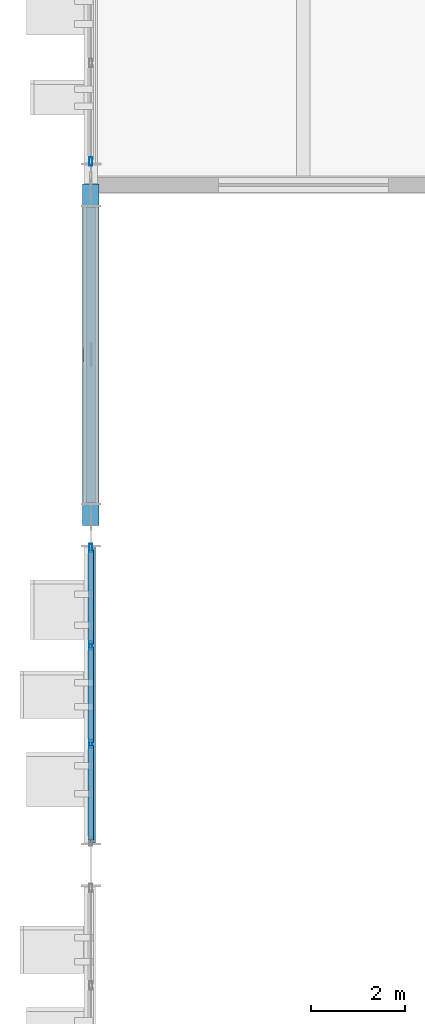
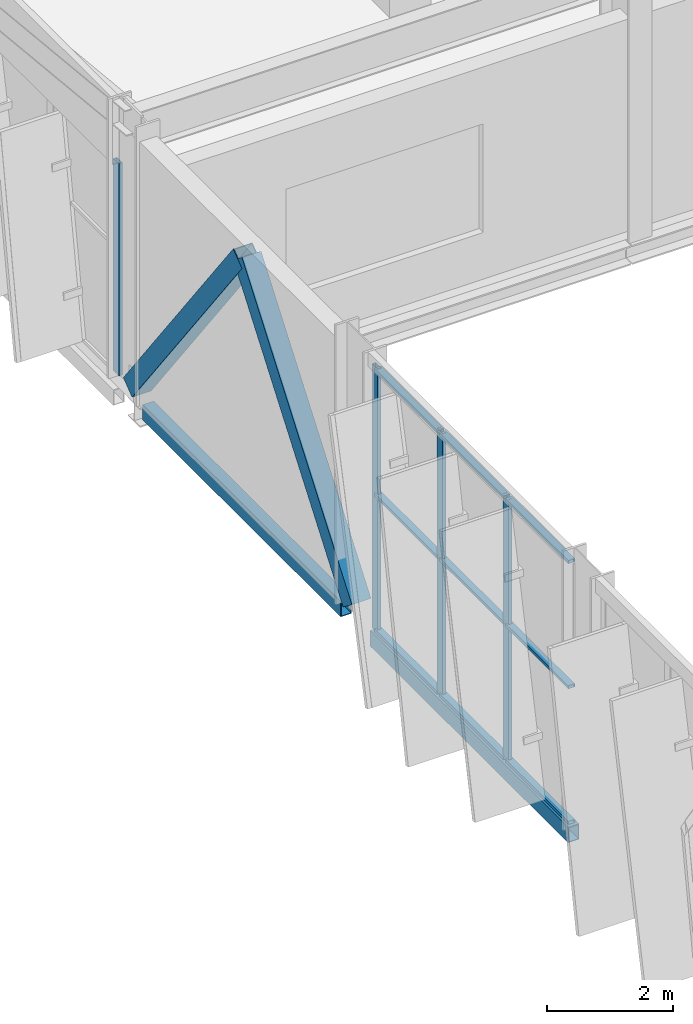
# One storey, part 34 of 189: 15 members, 2 beams, 2 elements without a shape of their own.
"""IFC4 building model written with IfcOpenShell, lengths in metres."""

from ifc_helpers import new_model, si_unit, direction, frame, origin, origin_2d, place, context, subcontext, project, spatial, hollow_rectangle, extrude, material, layer, layer_set, material_profile, profile_set, type_object, element, aggregate, save


model = new_model("IFC4")

# Units and contexts
model_context = context("Model", 3, precision=1e-05, world=origin(), true_north=direction((0.0, 1.0)))
body_context = subcontext(model_context, "Body", "Model", "MODEL_VIEW")
ifc_project = project(units=[si_unit("LENGTHUNIT", "METRE"), si_unit("AREAUNIT", "SQUARE_METRE"), si_unit("VOLUMEUNIT", "CUBIC_METRE"), si_unit("PLANEANGLEUNIT", "RADIAN"), si_unit("MASSUNIT", "GRAM", prefix="KILO")], contexts=[model_context])

# Site, building, storey
site_placement = place(None, origin())
site = spatial("IfcSite", under=ifc_project, at=site_placement, CompositionType="ELEMENT")
building_placement = place(site_placement, origin())
building = spatial("IfcBuilding", under=site, at=building_placement, Name="Celestram Park Convention Centre", CompositionType="ELEMENT")
storey_placement = place(building_placement, frame((0.0, 0.0, 5.39990234375)))
storey = spatial("IfcBuildingStorey", under=building, at=storey_placement, Name="L01", CompositionType="ELEMENT", Elevation=5.39990234375)

# Curtain wall, member
ifc_material_1 = material(Name="Anodised Aluminium Alloy 6063-T6", Category="aluminium")
ifc_layer_1 = layer(ifc_material_1, 0.179931640625)
ifc_layer_set_1 = layer_set([ifc_layer_1], Name="Anodised Aluminium Alloy 6063-T6")
curtain_wall_type_1 = type_object("IfcCurtainWallType", Name="ARC-CW-636X410", PredefinedType="NOTDEFINED", material=ifc_layer_set_1)
curtain_wall_1_placement = place(storey_placement, origin())
curtain_wall_1 = element("IfcCurtainWall", 1, at=curtain_wall_1_placement, inside=storey, type_object=curtain_wall_type_1, Name="Unitised curtain wall CU-L01-043", PredefinedType="NOTDEFINED")
ifc_material_profile_1 = material_profile(ifc_material_1, hollow_rectangle(XDim=0.06494140625, YDim=0.179931640625, WallThickness=0.00390625, at=origin_2d()), Name="ALU65X180X4")
ifc_profile_set_1 = profile_set([ifc_material_profile_1], Name="Anodised Aluminium Alloy 6063-T6")
member_type_1 = type_object("IfcMemberType", Name="ARC-CWM-150", PredefinedType="MULLION", material=ifc_profile_set_1)
member_1_placement = place(storey_placement, frame((0.0, 108.49658203125, 0.0), z_axis=(0.0, 0.0, 1.0), x_axis=(-1.0, 0.0, 0.0)))
member_1 = element("IfcMember", 2, at=member_1_placement, type_object=member_type_1, Name="CW-63X41 mullion 1", PredefinedType="MULLION", context=body_context, shape_type="SweptSolid", body=[
    extrude(hollow_rectangle(XDim=0.06494140625, YDim=0.179931640625, WallThickness=0.00390625, at=origin_2d()), origin(), (0.0, 0.0, 1.0), 4.10009765625),
])
aggregate(curtain_wall_1, [member_1])

# Curtain wall, members
ifc_layer_2 = layer(ifc_material_1, 0.179931640625)
ifc_layer_set_2 = layer_set([ifc_layer_2], Name="Anodised Aluminium Alloy 6063-T6")
curtain_wall_type_2 = type_object("IfcCurtainWallType", Name="ARC-CW-627X510", PredefinedType="NOTDEFINED", material=ifc_layer_set_2)
curtain_wall_2_placement = place(storey_placement, origin())
curtain_wall_2 = element("IfcCurtainWall", 3, at=curtain_wall_2_placement, inside=storey, type_object=curtain_wall_type_2, Name="Unitised curtain wall CU-L01-122", PredefinedType="NOTDEFINED")
member_2_placement = place(storey_placement, frame((0.0, 96.15478515625, 0.0), z_axis=(0.0, 0.0, 1.0), x_axis=(-1.0, 0.0, 0.0)))
member_2 = element("IfcMember", 4, at=member_2_placement, type_object=member_type_1, Name="CW-62X51 mullion 2", PredefinedType="MULLION", context=body_context, shape_type="SweptSolid", body=[
    extrude(hollow_rectangle(XDim=0.06494140625, YDim=0.179931640625, WallThickness=0.00390625, at=origin_2d()), origin(), (0.0, 0.0, 1.0), 5.10009765625),
])
member_3_placement = place(storey_placement, frame((0.0, 98.245361328125, 0.0), z_axis=(0.0, 0.0, 1.0), x_axis=(-1.0, 0.0, 0.0)))
member_3 = element("IfcMember", 5, at=member_3_placement, type_object=member_type_1, Name="CW-62X51 mullion 3", PredefinedType="MULLION", context=body_context, shape_type="SweptSolid", body=[
    extrude(hollow_rectangle(XDim=0.06494140625, YDim=0.179931640625, WallThickness=0.00390625, at=origin_2d()), origin(), (0.0, 0.0, 1.0), 5.10009765625),
])
member_4_placement = place(storey_placement, frame((0.0, 100.303466796875, 0.0), z_axis=(0.0, 0.0, 1.0), x_axis=(-1.0, 0.0, 0.0)))
member_4 = element("IfcMember", 6, at=member_4_placement, type_object=member_type_1, Name="CW-62X51 mullion 4", PredefinedType="MULLION", context=body_context, shape_type="SweptSolid", body=[
    extrude(hollow_rectangle(XDim=0.06494140625, YDim=0.179931640625, WallThickness=0.00390625, at=origin_2d()), origin(), (0.0, 0.0, 1.0), 5.10009765625),
])
ifc_material_profile_2 = material_profile(ifc_material_1, hollow_rectangle(XDim=0.1201171875, YDim=0.06005859375, WallThickness=0.0029296875, at=origin_2d()), Name="ALU120X60X3")
ifc_profile_set_2 = profile_set([ifc_material_profile_2], Name="Anodised Aluminium Alloy 6063-T6")
member_type_2 = type_object("IfcMemberType", Name="ARC-CWT-120", PredefinedType="USERDEFINED", material=ifc_profile_set_2)
member_5_placement = place(storey_placement, frame((0.0, 94.12890625, 0.030029296875), z_axis=(0.0, 1.0, 0.0), x_axis=(-1.0, 0.0, 0.0)))
member_5 = element("IfcMember", 7, at=member_5_placement, type_object=member_type_2, Name="CW-62X51 transom 1.1", ObjectType="TRANSOM", PredefinedType="USERDEFINED", context=body_context, shape_type="SweptSolid", body=[
    extrude(hollow_rectangle(XDim=0.1201171875, YDim=0.06005859375, WallThickness=0.0029296875, at=origin_2d()), origin(), (0.0, 0.0, 1.0), 1.9931640625),
])
member_6_placement = place(storey_placement, frame((0.0, 94.12890625, 2.650146484375), z_axis=(0.0, 1.0, 0.0), x_axis=(-1.0, 0.0, 0.0)))
member_6 = element("IfcMember", 8, at=member_6_placement, type_object=member_type_2, Name="CW-62X51 transom 1.2", ObjectType="TRANSOM", PredefinedType="USERDEFINED", context=body_context, shape_type="SweptSolid", body=[
    extrude(hollow_rectangle(XDim=0.1201171875, YDim=0.06005859375, WallThickness=0.0029296875, at=origin_2d()), origin(), (0.0, 0.0, 1.0), 1.9931640625),
])
member_7_placement = place(storey_placement, frame((0.0, 94.12890625, 5.070068359375), z_axis=(0.0, 1.0, 0.0), x_axis=(-1.0, 0.0, 0.0)))
member_7 = element("IfcMember", 9, at=member_7_placement, type_object=member_type_2, Name="CW-62X51 transom 1.3", ObjectType="TRANSOM", PredefinedType="USERDEFINED", context=body_context, shape_type="SweptSolid", body=[
    extrude(hollow_rectangle(XDim=0.1201171875, YDim=0.06005859375, WallThickness=0.0029296875, at=origin_2d()), origin(), (0.0, 0.0, 1.0), 1.9931640625),
])
member_8_placement = place(storey_placement, frame((0.0, 96.187255859375, 0.030029296875), z_axis=(0.0, 1.0, 0.0), x_axis=(-1.0, 0.0, 0.0)))
member_8 = element("IfcMember", 10, at=member_8_placement, type_object=member_type_2, Name="CW-62X51 transom 2.1", ObjectType="TRANSOM", PredefinedType="USERDEFINED", context=body_context, shape_type="SweptSolid", body=[
    extrude(hollow_rectangle(XDim=0.1201171875, YDim=0.06005859375, WallThickness=0.0029296875, at=origin_2d()), origin(), (0.0, 0.0, 1.0), 2.025634765625),
])
member_9_placement = place(storey_placement, frame((0.0, 96.187255859375, 2.650146484375), z_axis=(0.0, 1.0, 0.0), x_axis=(-1.0, 0.0, 0.0)))
member_9 = element("IfcMember", 11, at=member_9_placement, type_object=member_type_2, Name="CW-62X51 transom 2.2", ObjectType="TRANSOM", PredefinedType="USERDEFINED", context=body_context, shape_type="SweptSolid", body=[
    extrude(hollow_rectangle(XDim=0.1201171875, YDim=0.06005859375, WallThickness=0.0029296875, at=origin_2d()), origin(), (0.0, 0.0, 1.0), 2.025634765625),
])
member_10_placement = place(storey_placement, frame((0.0, 96.187255859375, 5.070068359375), z_axis=(0.0, 1.0, 0.0), x_axis=(-1.0, 0.0, 0.0)))
member_10 = element("IfcMember", 12, at=member_10_placement, type_object=member_type_2, Name="CW-62X51 transom 2.3", ObjectType="TRANSOM", PredefinedType="USERDEFINED", context=body_context, shape_type="SweptSolid", body=[
    extrude(hollow_rectangle(XDim=0.1201171875, YDim=0.06005859375, WallThickness=0.0029296875, at=origin_2d()), origin(), (0.0, 0.0, 1.0), 2.025634765625),
])
member_11_placement = place(storey_placement, frame((0.0, 98.27783203125, 0.030029296875), z_axis=(0.0, 1.0, 0.0), x_axis=(-1.0, 0.0, 0.0)))
member_11 = element("IfcMember", 13, at=member_11_placement, type_object=member_type_2, Name="CW-62X51 transom 3.1", ObjectType="TRANSOM", PredefinedType="USERDEFINED", context=body_context, shape_type="SweptSolid", body=[
    extrude(hollow_rectangle(XDim=0.1201171875, YDim=0.06005859375, WallThickness=0.0029296875, at=origin_2d()), origin(), (0.0, 0.0, 1.0), 1.9931640625),
])
member_12_placement = place(storey_placement, frame((0.0, 98.27783203125, 2.650146484375), z_axis=(0.0, 1.0, 0.0), x_axis=(-1.0, 0.0, 0.0)))
member_12 = element("IfcMember", 14, at=member_12_placement, type_object=member_type_2, Name="CW-62X51 transom 3.2", ObjectType="TRANSOM", PredefinedType="USERDEFINED", context=body_context, shape_type="SweptSolid", body=[
    extrude(hollow_rectangle(XDim=0.1201171875, YDim=0.06005859375, WallThickness=0.0029296875, at=origin_2d()), origin(), (0.0, 0.0, 1.0), 1.9931640625),
])
member_13_placement = place(storey_placement, frame((0.0, 98.27783203125, 5.070068359375), z_axis=(0.0, 1.0, 0.0), x_axis=(-1.0, 0.0, 0.0)))
member_13 = element("IfcMember", 15, at=member_13_placement, type_object=member_type_2, Name="CW-62X51 transom 3.3", ObjectType="TRANSOM", PredefinedType="USERDEFINED", context=body_context, shape_type="SweptSolid", body=[
    extrude(hollow_rectangle(XDim=0.1201171875, YDim=0.06005859375, WallThickness=0.0029296875, at=origin_2d()), origin(), (0.0, 0.0, 1.0), 1.9931640625),
])
aggregate(curtain_wall_2, [member_2, member_3, member_4, member_5, member_6, member_7, member_8, member_9, member_10, member_11, member_12, member_13])

# Members
ifc_material_2 = material(Name="Steel ASTM A500 Grade C", Category="steel")
ifc_material_profile_3 = material_profile(ifc_material_2, hollow_rectangle(XDim=0.35009765625, YDim=0.35009765625, WallThickness=0.01611328125, at=origin_2d()), Name="HSS350X350X16")
ifc_profile_set_3 = profile_set([ifc_material_profile_3], Name="Steel ASTM A500 Grade C")
member_type_3 = type_object("IfcMemberType", Name="STR-BRC-HSS350", PredefinedType="BRACE", material=ifc_profile_set_3)
for number, where, z_axis, x_axis, name in (
    (16, (0.0, 100.919921875, 0.150146484375), (0.0, 0.60333355325, 0.797488948841), (-1.0, 0.0, 0.0), "Chevron braced-frame diagonal BF-L01-007"),
    (17, (0.0, 107.8798828125, 0.150146484375), (0.0, -0.60333355325, 0.797488948841), (1.0, 0.0, 0.0), "Chevron braced-frame diagonal BF-L01-008"),
):
    element("IfcMember", number, at=place(storey_placement, frame(where, z_axis=z_axis, x_axis=x_axis)), inside=storey, type_object=member_type_3, Name=name, PredefinedType="BRACE", context=body_context, shape_type="SweptSolid", body=[
        extrude(hollow_rectangle(XDim=0.35009765625, YDim=0.35009765625, WallThickness=0.01611328125, at=origin_2d()), origin(), (0.0, 0.0, 1.0), 5.767822265625),
    ])

# Beams
ifc_material_profile_4 = material_profile(ifc_material_2, hollow_rectangle(XDim=0.199951171875, YDim=0.300048828125, WallThickness=0.011962890625, at=origin_2d()), Name="HSS300X200X12")
ifc_profile_set_4 = profile_set([ifc_material_profile_4], Name="Steel ASTM A500 Grade C")
beam_type = type_object("IfcBeamType", Name="STR-SPN-HSS300X200", PredefinedType="SPANDREL", material=ifc_profile_set_4)
for number, where, z_axis, x_axis, name in (
    (18, (0.0, 94.06396484375, -0.14990234375), (0.0, 1.0, 0.0), (-1.0, 0.0, 0.0), "High-bay perimeter spandrel SPB-L01-011"),
    (19, (0.0, 101.263916015625, -0.14990234375), (0.0, 1.0, 0.0), (-1.0, 0.0, 0.0), "High-bay perimeter spandrel SPB-L01-012"),
):
    element("IfcBeam", number, at=place(storey_placement, frame(where, z_axis=z_axis, x_axis=x_axis)), inside=storey, type_object=beam_type, Name=name, PredefinedType="SPANDREL", context=body_context, shape_type="SweptSolid", body=[
        extrude(hollow_rectangle(XDim=0.199951171875, YDim=0.300048828125, WallThickness=0.011962890625, at=origin_2d()), origin(), (0.0, 0.0, 1.0), 6.27197265625),
    ])

save(model, "model.ifc")
